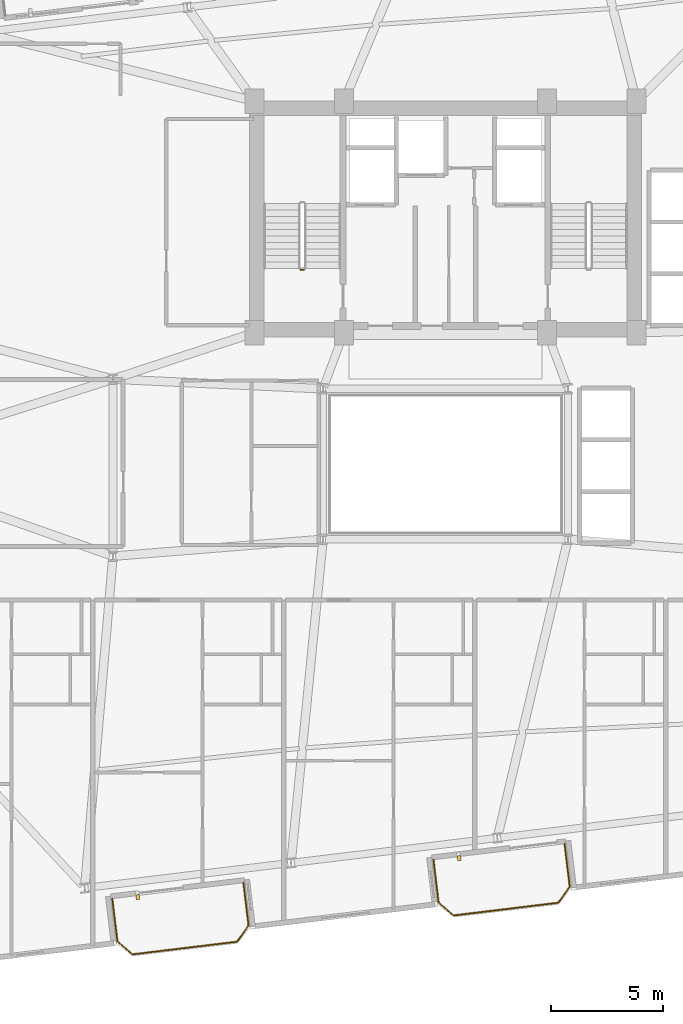
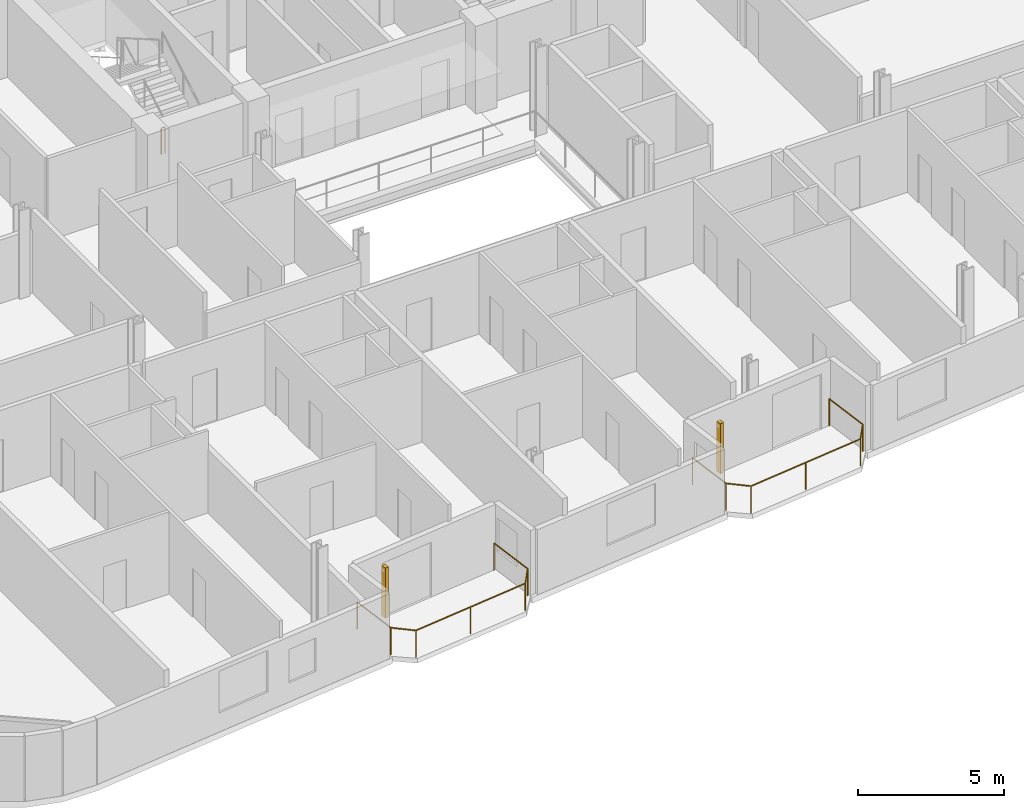
# One storey, part 21 of 24: 3 railings, 2 shading devices.
"""IFC4 building model written with IfcOpenShell, lengths in metres."""

from ifc_helpers import new_model, si_unit, direction, frame, origin, origin_2d, place, context, subcontext, project, spatial, rectangle, circle, extrude, source, transform, mapped, material, type_object, element, save


model = new_model("IFC4")

# Units and contexts
model_context = context("Model", 3, precision=1e-05, world=origin(), true_north=direction((0.0, 1.0)))
body_context = subcontext(model_context, "Body", "Model", "MODEL_VIEW")
ifc_project = project(units=[si_unit("LENGTHUNIT", "METRE"), si_unit("AREAUNIT", "SQUARE_METRE"), si_unit("VOLUMEUNIT", "CUBIC_METRE"), si_unit("PLANEANGLEUNIT", "RADIAN"), si_unit("MASSUNIT", "GRAM", prefix="KILO")], contexts=[model_context])

# Site, building, storey
site_placement = place(None, origin())
site = spatial("IfcSite", under=ifc_project, at=site_placement, CompositionType="ELEMENT")
building_placement = place(site_placement, origin())
building = spatial("IfcBuilding", under=site, at=building_placement, Name="Varnelok Gate Tower", CompositionType="ELEMENT")
storey_placement = place(building_placement, frame((0.0, 0.0, 196.800048828125)))
storey = spatial("IfcBuildingStorey", under=building, at=storey_placement, Name="L50", CompositionType="ELEMENT", Elevation=196.800048828125)

# Railings
ifc_material_1 = material(Name="Low-E Laminated Double Glazing IGU", Category="glass")
railing_type_1 = type_object("IfcRailingType", Name="RL-BALC-1150", PredefinedType="BALUSTRADE", material=ifc_material_1)
railing_1_placement = place(storey_placement, frame((24.368896484375, 3.55712890625, 0.0)))
element("IfcRailing", 1, at=railing_1_placement, inside=storey, type_object=railing_type_1, Name="L50 South Terrace Balustrade 1", PredefinedType="BALUSTRADE", context=body_context, shape_type="SweptSolid", body=[
    extrude(circle(Radius=0.02392578125, at=origin_2d()), frame((0.0, 0.0, 1.1259765625), z_axis=(0.120293392036, -0.992738384386, 0.0), x_axis=(0.992738384386, 0.120293392036, 0.0)), (0.0, 0.0, 1.0), 1.919921875),
    extrude(circle(Radius=0.02392578125, at=origin_2d()), frame((0.23095703125, -1.906005859375, 1.1259765625), z_axis=(0.756422670136, -0.654083132411, 0.0), x_axis=(0.654083132411, 0.756422670136, 0.0)), (0.0, 0.0, 1.0), 0.8779296875),
    extrude(circle(Radius=0.02392578125, at=origin_2d()), frame((0.89501953125, -2.480224609375, 1.1259765625), z_axis=(0.992736790351, 0.120306546306, 0.0), x_axis=(-0.120306546306, 0.992736790351, 0.0)), (0.0, 0.0, 1.0), 4.699951171875),
    extrude(circle(Radius=0.02392578125, at=origin_2d()), frame((5.560791015625, -1.914794921875, 1.1259765625), z_axis=(0.57815621837, 0.815926091726, 0.0), x_axis=(-0.815926091726, 0.57815621837, 0.0)), (0.0, 0.0, 1.0), 0.8779296875),
    extrude(circle(Radius=0.02392578125, at=origin_2d()), frame((6.068359375, -1.198486328125, 1.1259765625), z_axis=(-0.12040351024, 0.992725034802, 0.0), x_axis=(-0.992725034802, -0.12040351024, 0.0)), (0.0, 0.0, 1.0), 1.920166015625),
    extrude(circle(Radius=0.02099609375, at=origin_2d()), origin(), (0.0, 0.0, 1.0), 1.101806640625),
    extrude(circle(Radius=0.02099609375, at=origin_2d()), frame((0.23095703125, -1.906005859375, 0.0)), (0.0, 0.0, 1.0), 1.101806640625),
    extrude(circle(Radius=0.02099609375, at=origin_2d()), frame((0.89501953125, -2.480224609375, 0.0)), (0.0, 0.0, 1.0), 1.101806640625),
    extrude(circle(Radius=0.02099609375, at=origin_2d()), frame((3.22802734375, -2.197509765625, 0.0)), (0.0, 0.0, 1.0), 1.101806640625),
    extrude(circle(Radius=0.02099609375, at=origin_2d()), frame((5.560791015625, -1.914794921875, 0.0)), (0.0, 0.0, 1.0), 1.101806640625),
    extrude(circle(Radius=0.02099609375, at=origin_2d()), frame((6.068359375, -1.198486328125, 0.0)), (0.0, 0.0, 1.0), 1.101806640625),
    extrude(circle(Radius=0.02099609375, at=origin_2d()), frame((5.837158203125, 0.707763671875, 0.0)), (0.0, 0.0, 1.0), 1.101806640625),
])
railing_2_placement = place(storey_placement, frame((38.664306640625, 5.2900390625, 0.0)))
element("IfcRailing", 2, at=railing_2_placement, inside=storey, type_object=railing_type_1, Name="L50 South Terrace Balustrade 2", PredefinedType="BALUSTRADE", context=body_context, shape_type="SweptSolid", body=[
    extrude(circle(Radius=0.02392578125, at=origin_2d()), frame((0.0, 0.0, 1.1259765625), z_axis=(0.120293392036, -0.992738384386, 0.0), x_axis=(0.992738384386, 0.120293392036, 0.0)), (0.0, 0.0, 1.0), 1.919921875),
    extrude(circle(Radius=0.02392578125, at=origin_2d()), frame((0.23095703125, -1.906005859375, 1.1259765625), z_axis=(0.756303655992, -0.654220742513, 0.0), x_axis=(0.654220742513, 0.756303655992, 0.0)), (0.0, 0.0, 1.0), 0.877685546875),
    extrude(circle(Radius=0.02392578125, at=origin_2d()), frame((0.894775390625, -2.480224609375, 1.1259765625), z_axis=(0.99273133746, 0.120351533534, 0.0), x_axis=(-0.120351533534, 0.99273133746, 0.0)), (0.0, 0.0, 1.0), 4.7001953125),
    extrude(circle(Radius=0.02392578125, at=origin_2d()), frame((5.560791015625, -1.91455078125, 1.1259765625), z_axis=(0.577971037086, 0.816057277579, 0.0), x_axis=(-0.816057277579, 0.577971037086, 0.0)), (0.0, 0.0, 1.0), 0.877685546875),
    extrude(circle(Radius=0.02392578125, at=origin_2d()), frame((6.068115234375, -1.1982421875, 1.1259765625), z_axis=(-0.120293392036, 0.992738384386, 0.0), x_axis=(-0.992738384386, -0.120293392036, 0.0)), (0.0, 0.0, 1.0), 1.919921875),
    extrude(circle(Radius=0.02099609375, at=origin_2d()), origin(), (0.0, 0.0, 1.0), 1.101806640625),
    extrude(circle(Radius=0.02099609375, at=origin_2d()), frame((0.23095703125, -1.906005859375, 0.0)), (0.0, 0.0, 1.0), 1.101806640625),
    extrude(circle(Radius=0.02099609375, at=origin_2d()), frame((0.894775390625, -2.480224609375, 0.0)), (0.0, 0.0, 1.0), 1.101806640625),
    extrude(circle(Radius=0.02099609375, at=origin_2d()), frame((3.227783203125, -2.197265625, 0.0)), (0.0, 0.0, 1.0), 1.101806640625),
    extrude(circle(Radius=0.02099609375, at=origin_2d()), frame((5.560791015625, -1.91455078125, 0.0)), (0.0, 0.0, 1.0), 1.101806640625),
    extrude(circle(Radius=0.02099609375, at=origin_2d()), frame((6.068115234375, -1.1982421875, 0.0)), (0.0, 0.0, 1.0), 1.101806640625),
    extrude(circle(Radius=0.02099609375, at=origin_2d()), frame((5.837158203125, 0.707763671875, 0.0)), (0.0, 0.0, 1.0), 1.101806640625),
])
ifc_material_2 = material(Name="Galvanized Steel Grade S350GD", Category="steel")
railing_type_2 = type_object("IfcRailingType", Name="RL-STAIR-GUARD1120", PredefinedType="GUARDRAIL", material=ifc_material_2)
railing_3_placement = place(storey_placement, frame((32.89990234375, 31.550048828125, 0.0)))
element("IfcRailing", 3, at=railing_3_placement, inside=storey, type_object=railing_type_2, Name="L50 ST-1 stair guard 4", PredefinedType="GUARDRAIL", context=body_context, shape_type="SweptSolid", body=[
    extrude(circle(Radius=0.02392578125, at=origin_2d()), frame((0.0, 0.0, 1.09619140625), z_axis=(-1.0, 0.0, 0.0), x_axis=(0.0, -1.0, 0.0)), (0.0, 0.0, 1.0), 0.14990234375),
    extrude(circle(Radius=0.02099609375, at=origin_2d()), origin(), (0.0, 0.0, 1.0), 1.072021484375),
    extrude(circle(Radius=0.02099609375, at=origin_2d()), frame((-0.14990234375, 0.0, 0.0)), (0.0, 0.0, 1.0), 1.072021484375),
])

# Shading devices
ifc_material_3 = material(Name="Glazed Architectural Terracotta Ceramic", Category="masonry")
shading_device_type = type_object("IfcShadingDeviceType", Name="SHD-TERRA-BAGUETTE", PredefinedType="USERDEFINED", material=ifc_material_3)
shared_shape = source(origin(), body_context, "Body", "SweptSolid", [
    extrude(rectangle(XDim=0.139892578125, YDim=0.219970703125, at=origin_2d()), origin(), (0.0, 0.0, 1.0), 2.10009765625),
])
for number, where, z_axis, x_axis, name in (
    (4, (25.509033203125, 3.624755859375, 0.099853515625), (0.0, 0.0, 1.0), (0.992732158755, 0.12034475881, 0.0), "L50 Terracotta Ceramic Baguette Sunscreen 1.1"),
    (5, (39.80419921875, 5.35791015625, 0.099853515625), (0.0, 0.0, 1.0), (0.992732158755, 0.12034475881, 0.0), "L50 Terracotta Ceramic Baguette Sunscreen 2.1"),
):
    element("IfcShadingDevice", number, at=place(storey_placement, frame(where, z_axis=z_axis, x_axis=x_axis)), inside=storey, type_object=shading_device_type, Name=name, ObjectType="BAGUETTE", PredefinedType="USERDEFINED", context=body_context, shape_type="MappedRepresentation", body=[
        mapped(shared_shape, transform((0.0, 0.0, 0.0), scale=1.0)),
    ])

save(model, "model.ifc")
